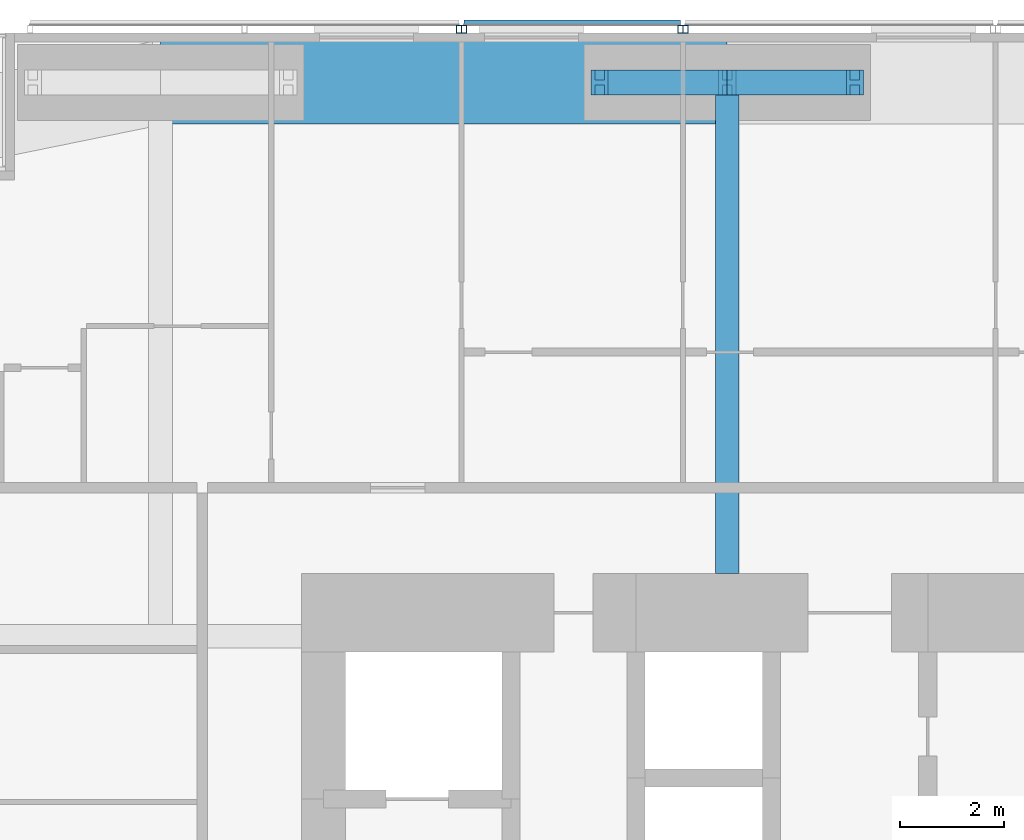
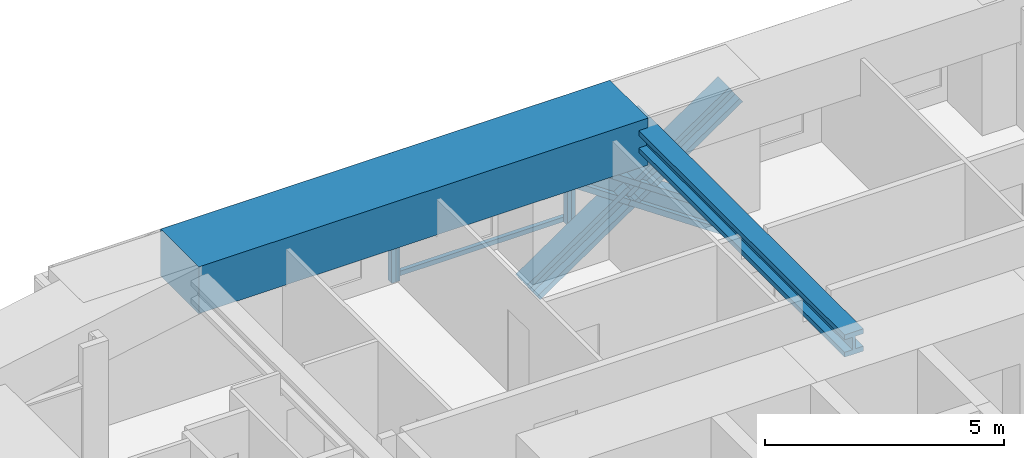
# One storey, part 12 of 23: 9 members, 2 beams, 3 elements without a shape of their own.
"""IFC4 building model written with IfcOpenShell, lengths in metres."""

from ifc_helpers import new_model, si_unit, direction, frame, origin, origin_2d, place, context, subcontext, project, spatial, rectangle, hollow_rectangle, i_section, extrude, material, material_profile, profile_set, type_object, element, aggregate, save


model = new_model("IFC4")

# Units and contexts
model_context = context("Model", 3, precision=1e-05, world=origin(), true_north=direction((0.0, 1.0)))
body_context = subcontext(model_context, "Body", "Model", "MODEL_VIEW")
ifc_project = project(units=[si_unit("LENGTHUNIT", "METRE"), si_unit("AREAUNIT", "SQUARE_METRE"), si_unit("VOLUMEUNIT", "CUBIC_METRE"), si_unit("PLANEANGLEUNIT", "RADIAN"), si_unit("MASSUNIT", "GRAM", prefix="KILO")], contexts=[model_context])

# Site, building, storey
site_placement = place(None, origin())
site = spatial("IfcSite", under=ifc_project, at=site_placement, CompositionType="ELEMENT")
building_placement = place(site_placement, origin())
building = spatial("IfcBuilding", under=site, at=building_placement, Name="Jalousie Tower", CompositionType="ELEMENT")
storey_placement = place(building_placement, frame((0.0, 0.0, 114.89990234375)))
storey = spatial("IfcBuildingStorey", under=building, at=storey_placement, Name="L31", CompositionType="ELEMENT", Elevation=114.89990234375)

# Beam
ifc_material_1 = material(Name="Steel ASTM A992 Grade 50", Category="steel")
ifc_material_profile_1 = material_profile(ifc_material_1, i_section(OverallWidth=0.45458984375, OverallDepth=0.569091796875, WebThickness=0.077880859375, FlangeThickness=0.124755859375, at=origin_2d()), Name="W14X730")
ifc_profile_set_1 = profile_set([ifc_material_profile_1], Name="Steel ASTM A992 Grade 50")
beam_type_1 = type_object("IfcBeamType", Name="LEAN COLLECTOR W14X730", PredefinedType="BEAM", material=ifc_profile_set_1)
beam_1_placement = place(storey_placement, frame((27.75, 37.050048828125, 2.82568359375), z_axis=(0.0, -1.0, 0.0), x_axis=(1.0, 0.0, 0.0)))
element("IfcBeam", 1, at=beam_1_placement, inside=storey, type_object=beam_type_1, Name="Lean collector under L32", PredefinedType="BEAM", context=body_context, shape_type="SweptSolid", body=[
    extrude(i_section(OverallWidth=0.45458984375, OverallDepth=0.569091796875, WebThickness=0.077880859375, FlangeThickness=0.124755859375, at=origin_2d()), origin(), (0.0, 0.0, 1.0), 9.425048828125),
])

# Members
ifc_material_2 = material(Name="Steel ASTM A992 Grade 50", Category="steel")
ifc_material_profile_2 = material_profile(ifc_material_2, i_section(OverallWidth=0.472412109375, OverallDepth=0.5791015625, WebThickness=0.094970703125, FlangeThickness=0.1298828125, at=origin_2d()), Name="W14X808")
ifc_profile_set_2 = profile_set([ifc_material_profile_2], Name="Steel ASTM A992 Grade 50")
member_type_1 = type_object("IfcMemberType", Name="PERIMETER BRACE W14X808", PredefinedType="BRACE", material=ifc_profile_set_2)
for number, where, z_axis, x_axis, name in (
    (2, (25.300048828125, 37.050048828125, -0.599853515625), (0.825500916831, 0.0, 0.564400776321), (0.0, 1.0, 0.0), "Perimeter brace 10 L31 part 1"),
    (3, (27.75, 37.050048828125, 1.0751953125), (0.825539243753, 0.0, 0.564344714713), (0.0, 1.0, 0.0), "Perimeter brace 10 L31 part 2"),
    (4, (30.199951171875, 37.050048828125, -0.599853515625), (-0.825500916831, 0.0, 0.564400776321), (0.0, -1.0, 0.0), "Perimeter brace 10 L31 part 3"),
    (5, (27.75, 37.050048828125, 1.0751953125), (-0.825539243753, 0.0, 0.564344714713), (0.0, -1.0, 0.0), "Perimeter brace 10 L31 part 4"),
):
    element("IfcMember", number, at=place(storey_placement, frame(where, z_axis=z_axis, x_axis=x_axis)), inside=storey, type_object=member_type_1, Name=name, PredefinedType="BRACE", context=body_context, shape_type="SweptSolid", body=[
        extrude(i_section(OverallWidth=0.472412109375, OverallDepth=0.5791015625, WebThickness=0.094970703125, FlangeThickness=0.1298828125, at=origin_2d()), origin(), (0.0, 0.0, 1.0), 2.9677734375),
    ])

# Beam
ifc_material_3 = material(Name="Concrete f'c 40 MPa", Category="concrete")
ifc_material_profile_3 = material_profile(ifc_material_3, rectangle(XDim=1.60009765625, YDim=1.199951171875, at=origin_2d()), Name="RC 1600x1200")
ifc_profile_set_3 = profile_set([ifc_material_profile_3], Name="Concrete f'c 40 MPa")
beam_type_2 = type_object("IfcBeamType", Name="RC BEAM 1600x1200", PredefinedType="BEAM", material=ifc_profile_set_3)
beam_2_placement = place(storey_placement, frame((27.75, 37.050048828125, 2.75), z_axis=(-1.0, 0.0, 0.0), x_axis=(0.0, -1.0, 0.0)))
element("IfcBeam", 6, at=beam_2_placement, inside=storey, type_object=beam_type_2, Name="Edge band beam 10-11 under L32", PredefinedType="BEAM", context=body_context, shape_type="SweptSolid", body=[
    extrude(rectangle(XDim=1.60009765625, YDim=1.199951171875, at=origin_2d()), origin(), (0.0, 0.0, 1.0), 10.875),
])

# Curtain wall, member
ifc_material_4 = material(Name="Perforated aluminium sheet", Category="aluminium")
curtain_wall_type = type_object("IfcCurtainWallType", Name="SOLAR SCREEN SS-1", PredefinedType="USERDEFINED", material=ifc_material_4)
curtain_wall_1_placement = place(storey_placement, origin())
curtain_wall_1 = element("IfcCurtainWall", 7, at=curtain_wall_1_placement, inside=storey, type_object=curtain_wall_type, Name="Solar screen L31", ObjectType="SOLAR SCREEN SS-1", PredefinedType="USERDEFINED")
ifc_material_5 = material(Name="Steel ASTM A500 Grade C", Category="steel")
ifc_material_profile_4 = material_profile(ifc_material_5, hollow_rectangle(XDim=0.1015625, YDim=0.15234375, WallThickness=0.00634765625, at=origin_2d()), Name="HSS6X4X1/4")
ifc_profile_set_4 = profile_set([ifc_material_profile_4], Name="Steel ASTM A500 Grade C")
member_type_2 = type_object("IfcMemberType", Name="SOLAR SCREEN SS-1 MULLION", PredefinedType="MULLION", material=ifc_profile_set_4)
member_1_placement = place(storey_placement, frame((26.949951171875, 38.0712890625, -0.119873046875), z_axis=(0.0, 0.0, 1.0), x_axis=(-1.0, 0.0, 0.0)))
member_1 = element("IfcMember", 8, at=member_1_placement, type_object=member_type_2, Name="SS1 post 2", PredefinedType="MULLION", context=body_context, shape_type="SweptSolid", body=[
    extrude(hollow_rectangle(XDim=0.1015625, YDim=0.15234375, WallThickness=0.00634765625, at=origin_2d()), origin(), (0.0, 0.0, 1.0), 3.22998046875),
])
aggregate(curtain_wall_1, [member_1])

# Curtain wall, members
curtain_wall_2_placement = place(storey_placement, origin())
curtain_wall_2 = element("IfcCurtainWall", 9, at=curtain_wall_2_placement, inside=storey, type_object=curtain_wall_type, Name="Solar screen L31", ObjectType="SOLAR SCREEN SS-1", PredefinedType="USERDEFINED")
member_2_placement = place(storey_placement, frame((26.85009765625, 38.0712890625, -0.119873046875), z_axis=(0.0, 0.0, 1.0), x_axis=(-1.0, 0.0, 0.0)))
member_2 = element("IfcMember", 10, at=member_2_placement, type_object=member_type_2, Name="SS1 post 1", PredefinedType="MULLION", context=body_context, shape_type="SweptSolid", body=[
    extrude(hollow_rectangle(XDim=0.1015625, YDim=0.15234375, WallThickness=0.00634765625, at=origin_2d()), origin(), (0.0, 0.0, 1.0), 3.22998046875),
])
member_3_placement = place(storey_placement, frame((22.699951171875, 38.0712890625, -0.119873046875), z_axis=(0.0, 0.0, 1.0), x_axis=(-1.0, 0.0, 0.0)))
member_3 = element("IfcMember", 11, at=member_3_placement, type_object=member_type_2, Name="SS1 post 2", PredefinedType="MULLION", context=body_context, shape_type="SweptSolid", body=[
    extrude(hollow_rectangle(XDim=0.1015625, YDim=0.15234375, WallThickness=0.00634765625, at=origin_2d()), origin(), (0.0, 0.0, 1.0), 3.22998046875),
])

# Curtain wall, member
curtain_wall_3_placement = place(storey_placement, origin())
curtain_wall_3 = element("IfcCurtainWall", 12, at=curtain_wall_3_placement, inside=storey, type_object=curtain_wall_type, Name="Solar screen L31", ObjectType="SOLAR SCREEN SS-1", PredefinedType="USERDEFINED")
member_4_placement = place(storey_placement, frame((22.60009765625, 38.0712890625, -0.119873046875), z_axis=(0.0, 0.0, 1.0), x_axis=(-1.0, 0.0, 0.0)))
member_4 = element("IfcMember", 13, at=member_4_placement, type_object=member_type_2, Name="SS1 post 1", PredefinedType="MULLION", context=body_context, shape_type="SweptSolid", body=[
    extrude(hollow_rectangle(XDim=0.1015625, YDim=0.15234375, WallThickness=0.00634765625, at=origin_2d()), origin(), (0.0, 0.0, 1.0), 3.22998046875),
])
aggregate(curtain_wall_3, [member_4])

# Member
ifc_material_6 = material(Name="Extruded aluminium screen rail", Category="aluminium")
ifc_material_profile_5 = material_profile(ifc_material_6, rectangle(XDim=0.1015625, YDim=0.1201171875, at=origin_2d()), Name="RAIL 102x120")
ifc_profile_set_5 = profile_set([ifc_material_profile_5], Name="Extruded aluminium screen rail")
member_type_3 = type_object("IfcMemberType", Name="SOLAR SCREEN SS-1 TRANSOM", PredefinedType="USERDEFINED", material=ifc_profile_set_5)
member_5_placement = place(storey_placement, frame((26.85009765625, 38.1982421875, -0.059814453125), z_axis=(-1.0, 0.0, 0.0), x_axis=(0.0, -1.0, 0.0)))
member_5 = element("IfcMember", 14, at=member_5_placement, type_object=member_type_3, Name="SS1 rail", ObjectType="TRANSOM", PredefinedType="USERDEFINED", context=body_context, shape_type="SweptSolid", body=[
    extrude(rectangle(XDim=0.1015625, YDim=0.1201171875, at=origin_2d()), origin(), (0.0, 0.0, 1.0), 4.150146484375),
])

aggregate(curtain_wall_2, [member_2, member_3, member_5])

save(model, "model.ifc")
